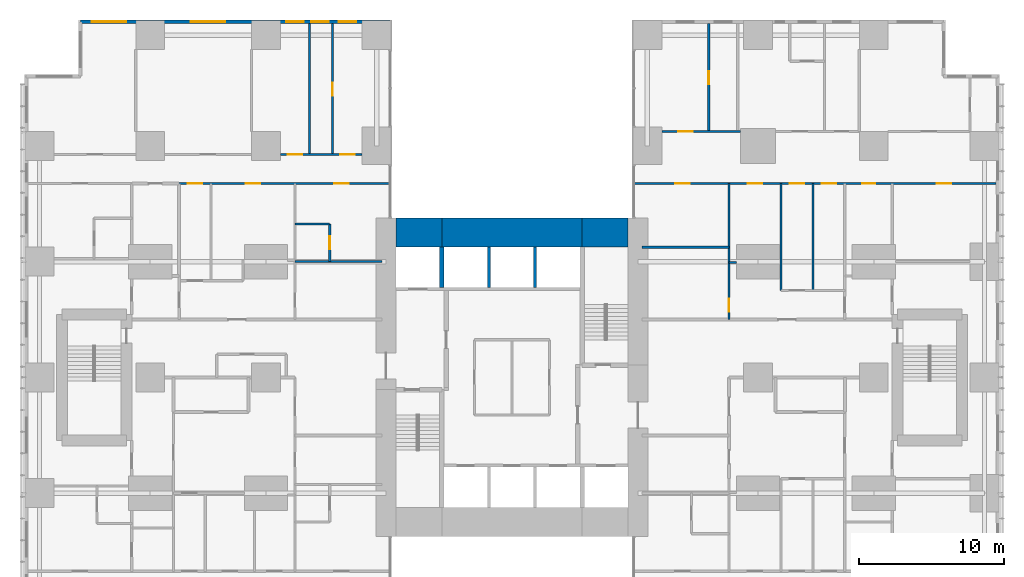
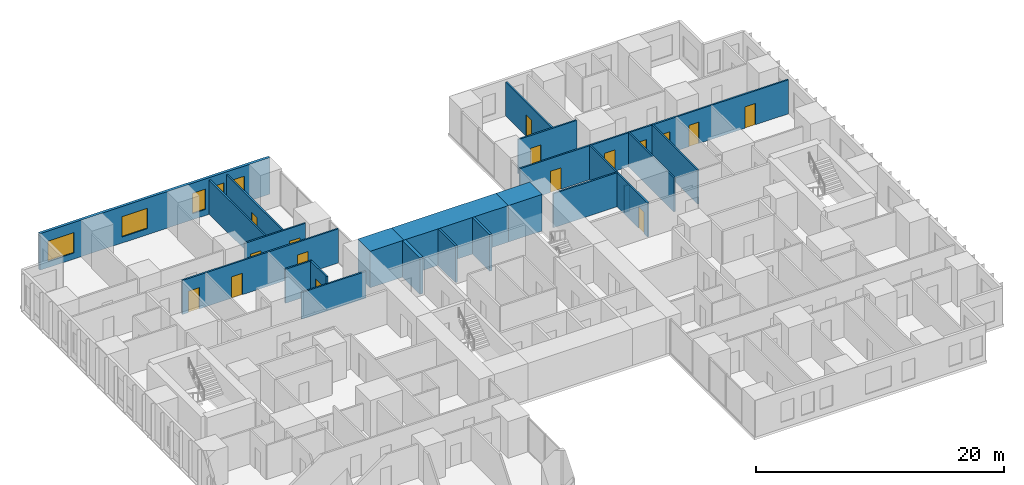
# One storey, part 17 of 20: 22 walls, 16 doors, 5 windows, 21 openings.
"""IFC4 building model written with IfcOpenShell, lengths in metres."""

from ifc_helpers import new_model, si_unit, direction, frame, frame_2d, origin, place, context, subcontext, project, spatial, rectangle, extrude, material, layer, layer_set, type_object, element, fill, save


model = new_model("IFC4")

# Units and contexts
model_context = context("Model", 3, precision=1e-05, world=origin(), true_north=direction((0.0, 1.0)))
body_context = subcontext(model_context, "Body", "Model", "MODEL_VIEW")
ifc_project = project(units=[si_unit("LENGTHUNIT", "METRE"), si_unit("AREAUNIT", "SQUARE_METRE"), si_unit("VOLUMEUNIT", "CUBIC_METRE"), si_unit("PLANEANGLEUNIT", "RADIAN"), si_unit("MASSUNIT", "GRAM", prefix="KILO")], contexts=[model_context])

# Site, building, storey
site_placement = place(None, origin())
site = spatial("IfcSite", under=ifc_project, at=site_placement, CompositionType="ELEMENT")
building_placement = place(site_placement, origin())
building = spatial("IfcBuilding", under=site, at=building_placement, Name="Cleftline Residences", CompositionType="ELEMENT")
storey_placement = place(building_placement, frame((0.0, 0.0, 83.60009765625)))
storey = spatial("IfcBuildingStorey", under=building, at=storey_placement, Name="L21", CompositionType="ELEMENT", Elevation=83.60009765625)

# Walls
ifc_material_1 = material(Name="Concrete B70", Category="concrete")
ifc_layer_1 = layer(ifc_material_1, 2.0)
ifc_layer_set_1 = layer_set([ifc_layer_1], Name="CORE WALL 2000")
wall_type_1 = type_object("IfcWallType", Name="CORE WALL 2000", PredefinedType="SHEAR", material=ifc_layer_set_1)
wall_1_placement = place(storey_placement, frame((25.0, 34.0, 0.0), z_axis=(0.0, 0.0, 1.0), x_axis=(1.0, 0.0, 0.0)))
element("IfcWall", 1, at=wall_1_placement, inside=storey, type_object=wall_type_1, Name="Core wall N1", PredefinedType="SHEAR", context=body_context, shape_type="SweptSolid", body=[
    extrude(rectangle(XDim=3.14990234375, YDim=2.0, at=frame_2d((1.574951171875, 0.0))), origin(), (0.0, 0.0, 1.0), 3.599853515625),
])
wall_2_placement = place(storey_placement, frame((28.14990234375, 34.0, 0.0), z_axis=(0.0, 0.0, 1.0), x_axis=(1.0, 0.0, 0.0)))
element("IfcWall", 2, at=wall_2_placement, inside=storey, type_object=wall_type_1, Name="Core wall N2", PredefinedType="SHEAR", context=body_context, shape_type="SweptSolid", body=[
    extrude(rectangle(XDim=9.7001953125, YDim=2.0, at=frame_2d((4.85009765625, 0.0))), origin(), (0.0, 0.0, 1.0), 3.599853515625),
])
wall_3_placement = place(storey_placement, frame((37.85009765625, 34.0, 0.0), z_axis=(0.0, 0.0, 1.0), x_axis=(1.0, 0.0, 0.0)))
element("IfcWall", 3, at=wall_3_placement, inside=storey, type_object=wall_type_1, Name="Core wall N3", PredefinedType="SHEAR", context=body_context, shape_type="SweptSolid", body=[
    extrude(rectangle(XDim=3.14990234375, YDim=2.0, at=frame_2d((1.574951171875, 0.0))), origin(), (0.0, 0.0, 1.0), 3.599853515625),
])
ifc_material_2 = material(Name="Concrete B70", Category="concrete")
ifc_layer_2 = layer(ifc_material_2, 0.300048828125)
ifc_layer_set_2 = layer_set([ifc_layer_2], Name="CORE WALL 300")
wall_type_2 = type_object("IfcWallType", Name="CORE WALL 300", PredefinedType="SHEAR", material=ifc_layer_set_2)
wall_4_placement = place(storey_placement, frame((28.14990234375, 30.199951171875, 0.0), z_axis=(0.0, 0.0, 1.0), x_axis=(0.0, 1.0, 0.0)))
element("IfcWall", 4, at=wall_4_placement, inside=storey, type_object=wall_type_2, Name="Lift shaft wall", PredefinedType="SHEAR", context=body_context, shape_type="SweptSolid", body=[
    extrude(rectangle(XDim=2.800048828125, YDim=0.300048828125, at=frame_2d((1.39990234375, 0.0))), origin(), (0.0, 0.0, 1.0), 3.599853515625),
])

# Wall, openings, windows
ifc_material_3 = material(Name="Rendered reinforced concrete blockwork", Category="masonry")
ifc_layer_3 = layer(ifc_material_3, 0.25)
ifc_layer_set_3 = layer_set([ifc_layer_3], Name="EXTERNAL WALL 250")
wall_type_3 = type_object("IfcWallType", Name="EXTERNAL WALL 250", PredefinedType="SOLIDWALL", material=ifc_layer_set_3)
wall_5_placement = place(storey_placement, frame((24.574951171875, 48.574951171875, 0.0), z_axis=(0.0, 0.0, 1.0), x_axis=(-1.0, 0.0, 0.0)))
wall_5 = element("IfcWall", 5, at=wall_5_placement, inside=storey, type_object=wall_type_3, Name="External wall", PredefinedType="SOLIDWALL", context=body_context, shape_type="SweptSolid", body=[
    extrude(rectangle(XDim=21.39990234375, YDim=0.25, at=frame_2d((10.699951171875, 0.0))), origin(), (0.0, 0.0, 1.0), 3.599853515625),
])
opening_1_placement = place(wall_5_placement, frame((2.35009765625, 0.0, 0.60009765625)))
opening_1 = element("IfcOpeningElement", 6, at=opening_1_placement, cuts=wall_5, Name="Opening W8", PredefinedType="OPENING", context=body_context, shape_type="SweptSolid", body=[
    extrude(rectangle(XDim=1.199951171875, YDim=2.0, at=frame_2d((0.60009765625, 1.0))), frame((0.0, 0.135009765625, 0.0), z_axis=(0.0, -1.0, 0.0), x_axis=(1.0, 0.0, 0.0)), (0.0, 0.0, 1.0), 0.27001953125),
])
opening_2_placement = place(wall_5_placement, frame((4.25, 0.0, 0.60009765625)))
opening_2 = element("IfcOpeningElement", 7, at=opening_2_placement, cuts=wall_5, Name="Opening W8", PredefinedType="OPENING", context=body_context, shape_type="SweptSolid", body=[
    extrude(rectangle(XDim=1.199951171875, YDim=2.0, at=frame_2d((0.60009765625, 1.0))), frame((0.0, 0.135009765625, 0.0), z_axis=(0.0, -1.0, 0.0), x_axis=(1.0, 0.0, 0.0)), (0.0, 0.0, 1.0), 0.27001953125),
])
opening_3_placement = place(wall_5_placement, frame((5.97509765625, 0.0, 0.60009765625)))
opening_3 = element("IfcOpeningElement", 8, at=opening_3_placement, cuts=wall_5, Name="Opening W8", PredefinedType="OPENING", context=body_context, shape_type="SweptSolid", body=[
    extrude(rectangle(XDim=1.199951171875, YDim=2.0, at=frame_2d((0.60009765625, 1.0))), frame((0.0, 0.135009765625, 0.0), z_axis=(0.0, -1.0, 0.0), x_axis=(1.0, 0.0, 0.0)), (0.0, 0.0, 1.0), 0.27001953125),
])
opening_4_placement = place(wall_5_placement, frame((11.375, 0.0, 0.60009765625)))
opening_4 = element("IfcOpeningElement", 9, at=opening_4_placement, cuts=wall_5, Name="Opening W6", PredefinedType="OPENING", context=body_context, shape_type="SweptSolid", body=[
    extrude(rectangle(XDim=2.39990234375, YDim=2.0, at=frame_2d((1.199951171875, 1.0))), frame((0.0, 0.135009765625, 0.0), z_axis=(0.0, -1.0, 0.0), x_axis=(1.0, 0.0, 0.0)), (0.0, 0.0, 1.0), 0.27001953125),
])
opening_5_placement = place(wall_5_placement, frame((18.22509765625, 0.0, 0.60009765625)))
opening_5 = element("IfcOpeningElement", 10, at=opening_5_placement, cuts=wall_5, Name="Opening W6", PredefinedType="OPENING", context=body_context, shape_type="SweptSolid", body=[
    extrude(rectangle(XDim=2.39990234375, YDim=2.0, at=frame_2d((1.199951171875, 1.0))), frame((0.0, 0.135009765625, 0.0), z_axis=(0.0, -1.0, 0.0), x_axis=(1.0, 0.0, 0.0)), (0.0, 0.0, 1.0), 0.27001953125),
])
ifc_material_4 = material(Name="Aluminium frame, clear double glazing", Category="aluminium")
window_type_1 = type_object("IfcWindowType", Name="WINDOW 1200X2000", PartitioningType="DOUBLE_PANEL_VERTICAL", PredefinedType="WINDOW", material=ifc_material_4)
window_1_placement = place(opening_1_placement, origin())
window_1 = element("IfcWindow", 11, at=window_1_placement, inside=storey, type_object=window_type_1, Name="Window", OverallHeight=2.0, OverallWidth=1.199951171875, PartitioningType="SINGLE_PANEL", PredefinedType="WINDOW", context=body_context, shape_type="SweptSolid", body=[
    extrude(rectangle(XDim=1.199951171875, YDim=2.0, at=frame_2d((0.60009765625, 1.0))), frame((0.0, 0.030029296875, 0.0), z_axis=(0.0, -1.0, 0.0), x_axis=(1.0, 0.0, 0.0)), (0.0, 0.0, 1.0), 0.06005859375),
])
fill(opening_1, window_1)
window_2_placement = place(opening_2_placement, origin())
window_2 = element("IfcWindow", 12, at=window_2_placement, inside=storey, type_object=window_type_1, Name="Window", OverallHeight=2.0, OverallWidth=1.199951171875, PartitioningType="SINGLE_PANEL", PredefinedType="WINDOW", context=body_context, shape_type="SweptSolid", body=[
    extrude(rectangle(XDim=1.199951171875, YDim=2.0, at=frame_2d((0.60009765625, 1.0))), frame((0.0, 0.030029296875, 0.0), z_axis=(0.0, -1.0, 0.0), x_axis=(1.0, 0.0, 0.0)), (0.0, 0.0, 1.0), 0.06005859375),
])
fill(opening_2, window_2)
window_3_placement = place(opening_3_placement, origin())
window_3 = element("IfcWindow", 13, at=window_3_placement, inside=storey, type_object=window_type_1, Name="Window", OverallHeight=2.0, OverallWidth=1.199951171875, PartitioningType="SINGLE_PANEL", PredefinedType="WINDOW", context=body_context, shape_type="SweptSolid", body=[
    extrude(rectangle(XDim=1.199951171875, YDim=2.0, at=frame_2d((0.60009765625, 1.0))), frame((0.0, 0.030029296875, 0.0), z_axis=(0.0, -1.0, 0.0), x_axis=(1.0, 0.0, 0.0)), (0.0, 0.0, 1.0), 0.06005859375),
])
fill(opening_3, window_3)
ifc_material_5 = material(Name="Aluminium frame, clear double glazing", Category="aluminium")
window_type_2 = type_object("IfcWindowType", Name="WINDOW 2400X2000", PartitioningType="DOUBLE_PANEL_VERTICAL", PredefinedType="WINDOW", material=ifc_material_5)
window_4_placement = place(opening_4_placement, origin())
window_4 = element("IfcWindow", 14, at=window_4_placement, inside=storey, type_object=window_type_2, Name="Window", OverallHeight=2.0, OverallWidth=2.39990234375, PartitioningType="SINGLE_PANEL", PredefinedType="WINDOW", context=body_context, shape_type="SweptSolid", body=[
    extrude(rectangle(XDim=2.39990234375, YDim=2.0, at=frame_2d((1.199951171875, 1.0))), frame((0.0, 0.030029296875, 0.0), z_axis=(0.0, -1.0, 0.0), x_axis=(1.0, 0.0, 0.0)), (0.0, 0.0, 1.0), 0.06005859375),
])
fill(opening_4, window_4)
window_5_placement = place(opening_5_placement, origin())
window_5 = element("IfcWindow", 15, at=window_5_placement, inside=storey, type_object=window_type_2, Name="Window", OverallHeight=2.0, OverallWidth=2.39990234375, PartitioningType="SINGLE_PANEL", PredefinedType="WINDOW", context=body_context, shape_type="SweptSolid", body=[
    extrude(rectangle(XDim=2.39990234375, YDim=2.0, at=frame_2d((1.199951171875, 1.0))), frame((0.0, 0.030029296875, 0.0), z_axis=(0.0, -1.0, 0.0), x_axis=(1.0, 0.0, 0.0)), (0.0, 0.0, 1.0), 0.06005859375),
])
fill(opening_5, window_5)

# Walls
ifc_material_6 = material(Name="Gypsum board on steel studs", Category="steel")
ifc_layer_4 = layer(ifc_material_6, 0.14990234375)
ifc_layer_set_4 = layer_set([ifc_layer_4], Name="PARTITION 150")
wall_type_4 = type_object("IfcWallType", Name="PARTITION 150", PredefinedType="PARTITIONING", material=ifc_layer_set_4)
wall_6_placement = place(storey_placement, frame((48.0, 31.949951171875, 0.0), z_axis=(0.0, 0.0, 1.0), x_axis=(1.0, 0.0, 0.0)))
element("IfcWall", 16, at=wall_6_placement, inside=storey, type_object=wall_type_4, Name="Partition", PredefinedType="PARTITIONING", context=body_context, shape_type="SweptSolid", body=[
    extrude(rectangle(XDim=0.5, YDim=0.14990234375, at=frame_2d((0.25, 0.0))), origin(), (0.0, 0.0, 1.0), 2.6337890625),
])
wall_7_placement = place(storey_placement, frame((18.0, 32.0, 0.0), z_axis=(0.0, 0.0, 1.0), x_axis=(1.0, 0.0, 0.0)))
element("IfcWall", 17, at=wall_7_placement, inside=storey, type_object=wall_type_4, Name="Partition", PredefinedType="PARTITIONING", context=body_context, shape_type="SweptSolid", body=[
    extrude(rectangle(XDim=6.0, YDim=0.14990234375, at=frame_2d((3.0, 0.0))), origin(), (0.0, 0.0, 1.0), 2.6337890625),
])
wall_8_placement = place(storey_placement, frame((42.0, 33.0, 0.0), z_axis=(0.0, 0.0, 1.0), x_axis=(1.0, 0.0, 0.0)))
element("IfcWall", 18, at=wall_8_placement, inside=storey, type_object=wall_type_4, Name="Partition", PredefinedType="PARTITIONING", context=body_context, shape_type="SweptSolid", body=[
    extrude(rectangle(XDim=6.0, YDim=0.14990234375, at=frame_2d((3.0, 0.0))), origin(), (0.0, 0.0, 1.0), 3.349853515625),
])
wall_9_placement = place(storey_placement, frame((18.0, 34.60009765625, 0.0), z_axis=(0.0, 0.0, 1.0), x_axis=(1.0, 0.0, 0.0)))
element("IfcWall", 19, at=wall_9_placement, inside=storey, type_object=wall_type_4, Name="Partition", PredefinedType="PARTITIONING", context=body_context, shape_type="SweptSolid", body=[
    extrude(rectangle(XDim=2.39990234375, YDim=0.14990234375, at=frame_2d((1.199951171875, 0.0))), origin(), (0.0, 0.0, 1.0), 3.349853515625),
])

# Wall, openings, doors
wall_10_placement = place(storey_placement, frame((10.0, 37.39990234375, 0.0), z_axis=(0.0, 0.0, 1.0), x_axis=(1.0, 0.0, 0.0)))
wall_10 = element("IfcWall", 20, at=wall_10_placement, inside=storey, type_object=wall_type_4, Name="Partition", PredefinedType="PARTITIONING", context=body_context, shape_type="SweptSolid", body=[
    extrude(rectangle(XDim=14.56103515625, YDim=0.14990234375, at=frame_2d((7.280517578125, 0.0))), origin(), (0.0, 0.0, 1.0), 3.349853515625),
])
opening_6_placement = place(wall_10_placement, frame((0.60009765625, 0.0, 0.0)))
opening_6 = element("IfcOpeningElement", 21, at=opening_6_placement, cuts=wall_10, Name="Opening D2F30", PredefinedType="OPENING", context=body_context, shape_type="SweptSolid", body=[
    extrude(rectangle(XDim=1.0, YDim=2.10009765625, at=frame_2d((0.5, 1.050048828125))), frame((0.0, 0.0849609375, 0.0), z_axis=(0.0, -1.0, 0.0), x_axis=(1.0, 0.0, 0.0)), (0.0, 0.0, 1.0), 0.169921875),
])
opening_7_placement = place(wall_10_placement, frame((4.60009765625, 0.0, 0.0)))
opening_7 = element("IfcOpeningElement", 22, at=opening_7_placement, cuts=wall_10, Name="Opening D2F30", PredefinedType="OPENING", context=body_context, shape_type="SweptSolid", body=[
    extrude(rectangle(XDim=1.0, YDim=2.10009765625, at=frame_2d((0.5, 1.050048828125))), frame((0.0, 0.0849609375, 0.0), z_axis=(0.0, -1.0, 0.0), x_axis=(1.0, 0.0, 0.0)), (0.0, 0.0, 1.0), 0.169921875),
])
opening_8_placement = place(wall_10_placement, frame((10.72509765625, 0.0, 0.0)))
opening_8 = element("IfcOpeningElement", 23, at=opening_8_placement, cuts=wall_10, Name="Opening D2F30", PredefinedType="OPENING", context=body_context, shape_type="SweptSolid", body=[
    extrude(rectangle(XDim=1.0, YDim=2.10009765625, at=frame_2d((0.5, 1.050048828125))), frame((0.0, 0.0849609375, 0.0), z_axis=(0.0, -1.0, 0.0), x_axis=(1.0, 0.0, 0.0)), (0.0, 0.0, 1.0), 0.169921875),
])
ifc_material_7 = material(Name="Timber veneer on solid core", Category="wood")
door_type_1 = type_object("IfcDoorType", Name="DOOR 1000X2100 EI 30", OperationType="SINGLE_SWING_LEFT", PredefinedType="DOOR", material=ifc_material_7)
door_1_placement = place(opening_6_placement, origin())
door_1 = element("IfcDoor", 24, at=door_1_placement, inside=storey, type_object=door_type_1, Name="Door to residence hall (gallery)", OperationType="SINGLE_SWING_RIGHT", OverallHeight=2.10009765625, OverallWidth=1.0, PredefinedType="DOOR", context=body_context, shape_type="SweptSolid", body=[
    extrude(rectangle(XDim=1.0, YDim=2.10009765625, at=frame_2d((0.5, 1.050048828125))), frame((0.0, 0.02490234375, 0.0), z_axis=(0.0, -1.0, 0.0), x_axis=(1.0, 0.0, 0.0)), (0.0, 0.0, 1.0), 0.050048828125),
])
fill(opening_6, door_1)
door_2_placement = place(opening_7_placement, origin())
door_2 = element("IfcDoor", 25, at=door_2_placement, inside=storey, type_object=door_type_1, Name="Door to study", OperationType="SINGLE_SWING_RIGHT", OverallHeight=2.10009765625, OverallWidth=1.0, PredefinedType="DOOR", context=body_context, shape_type="SweptSolid", body=[
    extrude(rectangle(XDim=1.0, YDim=2.10009765625, at=frame_2d((0.5, 1.050048828125))), frame((0.0, 0.02490234375, 0.0), z_axis=(0.0, -1.0, 0.0), x_axis=(1.0, 0.0, 0.0)), (0.0, 0.0, 1.0), 0.050048828125),
])
fill(opening_7, door_2)
door_3_placement = place(opening_8_placement, origin())
door_3 = element("IfcDoor", 26, at=door_3_placement, inside=storey, type_object=door_type_1, Name="Door to bedroom 2", OperationType="SINGLE_SWING_LEFT", OverallHeight=2.10009765625, OverallWidth=1.0, PredefinedType="DOOR", context=body_context, shape_type="SweptSolid", body=[
    extrude(rectangle(XDim=1.0, YDim=2.10009765625, at=frame_2d((0.5, 1.050048828125))), frame((0.0, 0.02490234375, 0.0), z_axis=(0.0, -1.0, 0.0), x_axis=(1.0, 0.0, 0.0)), (0.0, 0.0, 1.0), 0.050048828125),
])
fill(opening_8, door_3)

wall_11_placement = place(storey_placement, frame((41.43896484375, 37.39990234375, 0.0), z_axis=(0.0, 0.0, 1.0), x_axis=(1.0, 0.0, 0.0)))
wall_11 = element("IfcWall", 27, at=wall_11_placement, inside=storey, type_object=wall_type_4, Name="Partition", PredefinedType="PARTITIONING", context=body_context, shape_type="SweptSolid", body=[
    extrude(rectangle(XDim=25.010986328125, YDim=0.14990234375, at=frame_2d((12.50537109375, 0.0))), origin(), (0.0, 0.0, 1.0), 3.349853515625),
])
opening_9_placement = place(wall_11_placement, frame((10.760986328125, 0.0, 0.0)))
opening_9 = element("IfcOpeningElement", 28, at=opening_9_placement, cuts=wall_11, Name="Opening D2", PredefinedType="OPENING", context=body_context, shape_type="SweptSolid", body=[
    extrude(rectangle(XDim=1.0, YDim=2.10009765625, at=frame_2d((0.5, 1.050048828125))), frame((0.0, 0.0849609375, 0.0), z_axis=(0.0, -1.0, 0.0), x_axis=(1.0, 0.0, 0.0)), (0.0, 0.0, 1.0), 0.169921875),
])
opening_10_placement = place(wall_11_placement, frame((20.923583984375, 0.0, 0.0)))
opening_10 = element("IfcOpeningElement", 29, at=opening_10_placement, cuts=wall_11, Name="Opening D2", PredefinedType="OPENING", context=body_context, shape_type="SweptSolid", body=[
    extrude(rectangle(XDim=1.0, YDim=2.10009765625, at=frame_2d((0.5, 1.050048828125))), frame((0.0, 0.0849609375, 0.0), z_axis=(0.0, -1.0, 0.0), x_axis=(1.0, 0.0, 0.0)), (0.0, 0.0, 1.0), 0.169921875),
])
opening_11_placement = place(wall_11_placement, frame((15.74853515625, 0.0, 0.0)))
opening_11 = element("IfcOpeningElement", 30, at=opening_11_placement, cuts=wall_11, Name="Opening D1", PredefinedType="OPENING", context=body_context, shape_type="SweptSolid", body=[
    extrude(rectangle(XDim=0.89990234375, YDim=2.10009765625, at=frame_2d((0.449951171875, 1.050048828125))), frame((0.0, 0.0849609375, 0.0), z_axis=(0.0, -1.0, 0.0), x_axis=(1.0, 0.0, 0.0)), (0.0, 0.0, 1.0), 0.169921875),
])
opening_12_placement = place(wall_11_placement, frame((12.9609375, 0.0, 0.0)))
opening_12 = element("IfcOpeningElement", 31, at=opening_12_placement, cuts=wall_11, Name="Opening D2", PredefinedType="OPENING", context=body_context, shape_type="SweptSolid", body=[
    extrude(rectangle(XDim=1.0, YDim=2.10009765625, at=frame_2d((0.5, 1.050048828125))), frame((0.0, 0.0849609375, 0.0), z_axis=(0.0, -1.0, 0.0), x_axis=(1.0, 0.0, 0.0)), (0.0, 0.0, 1.0), 0.169921875),
])
opening_13_placement = place(wall_11_placement, frame((7.861083984375, 0.0, 0.0)))
opening_13 = element("IfcOpeningElement", 32, at=opening_13_placement, cuts=wall_11, Name="Opening D2", PredefinedType="OPENING", context=body_context, shape_type="SweptSolid", body=[
    extrude(rectangle(XDim=1.0, YDim=2.10009765625, at=frame_2d((0.5, 1.050048828125))), frame((0.0, 0.0849609375, 0.0), z_axis=(0.0, -1.0, 0.0), x_axis=(1.0, 0.0, 0.0)), (0.0, 0.0, 1.0), 0.169921875),
])
opening_14_placement = place(wall_11_placement, frame((2.8359375, 0.0, 0.0)))
opening_14 = element("IfcOpeningElement", 33, at=opening_14_placement, cuts=wall_11, Name="Opening D2", PredefinedType="OPENING", context=body_context, shape_type="SweptSolid", body=[
    extrude(rectangle(XDim=1.0, YDim=2.10009765625, at=frame_2d((0.5, 1.050048828125))), frame((0.0, 0.0849609375, 0.0), z_axis=(0.0, -1.0, 0.0), x_axis=(1.0, 0.0, 0.0)), (0.0, 0.0, 1.0), 0.169921875),
])
ifc_material_8 = material(Name="Timber veneer on solid core", Category="wood")
door_type_2 = type_object("IfcDoorType", Name="DOOR 1000X2100", OperationType="SINGLE_SWING_LEFT", PredefinedType="DOOR", material=ifc_material_8)
door_4_placement = place(opening_9_placement, origin())
door_4 = element("IfcDoor", 34, at=door_4_placement, inside=storey, type_object=door_type_2, Name="Door to residence hall", OperationType="SINGLE_SWING_RIGHT", OverallHeight=2.10009765625, OverallWidth=1.0, PredefinedType="DOOR", context=body_context, shape_type="SweptSolid", body=[
    extrude(rectangle(XDim=1.0, YDim=2.10009765625, at=frame_2d((0.5, 1.050048828125))), frame((0.0, 0.02490234375, 0.0), z_axis=(0.0, -1.0, 0.0), x_axis=(1.0, 0.0, 0.0)), (0.0, 0.0, 1.0), 0.050048828125),
])
fill(opening_9, door_4)
door_5_placement = place(opening_10_placement, origin())
door_5 = element("IfcDoor", 35, at=door_5_placement, inside=storey, type_object=door_type_2, Name="Door to sea-view living room", OperationType="SINGLE_SWING_LEFT", OverallHeight=2.10009765625, OverallWidth=1.0, PredefinedType="DOOR", context=body_context, shape_type="SweptSolid", body=[
    extrude(rectangle(XDim=1.0, YDim=2.10009765625, at=frame_2d((0.5, 1.050048828125))), frame((0.0, 0.02490234375, 0.0), z_axis=(0.0, -1.0, 0.0), x_axis=(1.0, 0.0, 0.0)), (0.0, 0.0, 1.0), 0.050048828125),
])
fill(opening_10, door_5)
door_6_placement = place(opening_12_placement, origin())
door_6 = element("IfcDoor", 36, at=door_6_placement, inside=storey, type_object=door_type_2, Name="Door to show kitchen", OperationType="SINGLE_SWING_LEFT", OverallHeight=2.10009765625, OverallWidth=1.0, PredefinedType="DOOR", context=body_context, shape_type="SweptSolid", body=[
    extrude(rectangle(XDim=1.0, YDim=2.10009765625, at=frame_2d((0.5, 1.050048828125))), frame((0.0, 0.02490234375, 0.0), z_axis=(0.0, -1.0, 0.0), x_axis=(1.0, 0.0, 0.0)), (0.0, 0.0, 1.0), 0.050048828125),
])
fill(opening_12, door_6)
door_7_placement = place(opening_13_placement, origin())
door_7 = element("IfcDoor", 37, at=door_7_placement, inside=storey, type_object=door_type_2, Name="Door to wet kitchen", OperationType="SINGLE_SWING_RIGHT", OverallHeight=2.10009765625, OverallWidth=1.0, PredefinedType="DOOR", context=body_context, shape_type="SweptSolid", body=[
    extrude(rectangle(XDim=1.0, YDim=2.10009765625, at=frame_2d((0.5, 1.050048828125))), frame((0.0, 0.02490234375, 0.0), z_axis=(0.0, -1.0, 0.0), x_axis=(1.0, 0.0, 0.0)), (0.0, 0.0, 1.0), 0.050048828125),
])
fill(opening_13, door_7)
door_8_placement = place(opening_14_placement, origin())
door_8 = element("IfcDoor", 38, at=door_8_placement, inside=storey, type_object=door_type_2, Name="Door to study", OperationType="SINGLE_SWING_RIGHT", OverallHeight=2.10009765625, OverallWidth=1.0, PredefinedType="DOOR", context=body_context, shape_type="SweptSolid", body=[
    extrude(rectangle(XDim=1.0, YDim=2.10009765625, at=frame_2d((0.5, 1.050048828125))), frame((0.0, 0.02490234375, 0.0), z_axis=(0.0, -1.0, 0.0), x_axis=(1.0, 0.0, 0.0)), (0.0, 0.0, 1.0), 0.050048828125),
])
fill(opening_14, door_8)
ifc_material_9 = material(Name="Timber veneer on solid core", Category="wood")
door_type_3 = type_object("IfcDoorType", Name="DOOR 900X2100", OperationType="SINGLE_SWING_LEFT", PredefinedType="DOOR", material=ifc_material_9)
door_9_placement = place(opening_11_placement, origin())
door_9 = element("IfcDoor", 39, at=door_9_placement, inside=storey, type_object=door_type_3, Name="Door to master bathroom", OperationType="SINGLE_SWING_LEFT", OverallHeight=2.10009765625, OverallWidth=0.89990234375, PredefinedType="DOOR", context=body_context, shape_type="SweptSolid", body=[
    extrude(rectangle(XDim=0.89990234375, YDim=2.10009765625, at=frame_2d((0.449951171875, 1.050048828125))), frame((0.0, 0.02490234375, 0.0), z_axis=(0.0, -1.0, 0.0), x_axis=(1.0, 0.0, 0.0)), (0.0, 0.0, 1.0), 0.050048828125),
])
fill(opening_11, door_9)

wall_12_placement = place(storey_placement, frame((17.0, 39.39990234375, 0.0), z_axis=(0.0, 0.0, 1.0), x_axis=(1.0, 0.0, 0.0)))
wall_12 = element("IfcWall", 40, at=wall_12_placement, inside=storey, type_object=wall_type_4, Name="Partition", PredefinedType="PARTITIONING", context=body_context, shape_type="SweptSolid", body=[
    extrude(rectangle(XDim=5.64990234375, YDim=0.14990234375, at=frame_2d((2.824951171875, 0.0))), origin(), (0.0, 0.0, 1.0), 3.349853515625),
])
opening_15_placement = place(wall_12_placement, frame((0.5, 0.0, 0.0)))
opening_15 = element("IfcOpeningElement", 41, at=opening_15_placement, cuts=wall_12, Name="Opening D2", PredefinedType="OPENING", context=body_context, shape_type="SweptSolid", body=[
    extrude(rectangle(XDim=1.0, YDim=2.10009765625, at=frame_2d((0.5, 1.050048828125))), frame((0.0, 0.0849609375, 0.0), z_axis=(0.0, -1.0, 0.0), x_axis=(1.0, 0.0, 0.0)), (0.0, 0.0, 1.0), 0.169921875),
])
opening_16_placement = place(wall_12_placement, frame((4.125, 0.0, 0.0)))
opening_16 = element("IfcOpeningElement", 42, at=opening_16_placement, cuts=wall_12, Name="Opening D2", PredefinedType="OPENING", context=body_context, shape_type="SweptSolid", body=[
    extrude(rectangle(XDim=1.0, YDim=2.10009765625, at=frame_2d((0.5, 1.050048828125))), frame((0.0, 0.0849609375, 0.0), z_axis=(0.0, -1.0, 0.0), x_axis=(1.0, 0.0, 0.0)), (0.0, 0.0, 1.0), 0.169921875),
])
door_10_placement = place(opening_15_placement, origin())
door_10 = element("IfcDoor", 43, at=door_10_placement, inside=storey, type_object=door_type_2, Name="Door to dining room", OperationType="SINGLE_SWING_RIGHT", OverallHeight=2.10009765625, OverallWidth=1.0, PredefinedType="DOOR", context=body_context, shape_type="SweptSolid", body=[
    extrude(rectangle(XDim=1.0, YDim=2.10009765625, at=frame_2d((0.5, 1.050048828125))), frame((0.0, 0.02490234375, 0.0), z_axis=(0.0, -1.0, 0.0), x_axis=(1.0, 0.0, 0.0)), (0.0, 0.0, 1.0), 0.050048828125),
])
fill(opening_15, door_10)
door_11_placement = place(opening_16_placement, origin())
door_11 = element("IfcDoor", 44, at=door_11_placement, inside=storey, type_object=door_type_2, Name="Door to show kitchen", OperationType="SINGLE_SWING_LEFT", OverallHeight=2.10009765625, OverallWidth=1.0, PredefinedType="DOOR", context=body_context, shape_type="SweptSolid", body=[
    extrude(rectangle(XDim=1.0, YDim=2.10009765625, at=frame_2d((0.5, 1.050048828125))), frame((0.0, 0.02490234375, 0.0), z_axis=(0.0, -1.0, 0.0), x_axis=(1.0, 0.0, 0.0)), (0.0, 0.0, 1.0), 0.050048828125),
])
fill(opening_16, door_11)

# Wall, opening, door
wall_13_placement = place(storey_placement, frame((43.35009765625, 41.0, 0.0), z_axis=(0.0, 0.0, 1.0), x_axis=(1.0, 0.0, 0.0)))
wall_13 = element("IfcWall", 45, at=wall_13_placement, inside=storey, type_object=wall_type_4, Name="Partition", PredefinedType="PARTITIONING", context=body_context, shape_type="SweptSolid", body=[
    extrude(rectangle(XDim=5.449951171875, YDim=0.14990234375, at=frame_2d((2.72509765625, 0.0))), origin(), (0.0, 0.0, 1.0), 3.349853515625),
])
opening_17_placement = place(wall_13_placement, frame((1.125, 0.0, 0.0)))
opening_17 = element("IfcOpeningElement", 46, at=opening_17_placement, cuts=wall_13, Name="Opening D2", PredefinedType="OPENING", context=body_context, shape_type="SweptSolid", body=[
    extrude(rectangle(XDim=1.0, YDim=2.10009765625, at=frame_2d((0.5, 1.050048828125))), frame((0.0, 0.0849609375, 0.0), z_axis=(0.0, -1.0, 0.0), x_axis=(1.0, 0.0, 0.0)), (0.0, 0.0, 1.0), 0.169921875),
])
door_12_placement = place(opening_17_placement, origin())
door_12 = element("IfcDoor", 47, at=door_12_placement, inside=storey, type_object=door_type_2, Name="Door to bedroom 3", OperationType="SINGLE_SWING_RIGHT", OverallHeight=2.10009765625, OverallWidth=1.0, PredefinedType="DOOR", context=body_context, shape_type="SweptSolid", body=[
    extrude(rectangle(XDim=1.0, YDim=2.10009765625, at=frame_2d((0.5, 1.050048828125))), frame((0.0, 0.02490234375, 0.0), z_axis=(0.0, -1.0, 0.0), x_axis=(1.0, 0.0, 0.0)), (0.0, 0.0, 1.0), 0.050048828125),
])
fill(opening_17, door_12)

# Wall
wall_14_placement = place(storey_placement, frame((19.0, 39.39990234375, 0.0), z_axis=(0.0, 0.0, 1.0), x_axis=(0.0, 1.0, 0.0)))
element("IfcWall", 48, at=wall_14_placement, inside=storey, type_object=wall_type_4, Name="Partition", PredefinedType="PARTITIONING", context=body_context, shape_type="SweptSolid", body=[
    extrude(rectangle(XDim=9.050048828125, YDim=0.14990234375, at=frame_2d((4.52490234375, 0.0))), origin(), (0.0, 0.0, 1.0), 3.349853515625),
])

# Wall, opening, door
wall_15_placement = place(storey_placement, frame((20.39990234375, 32.0, 0.0), z_axis=(0.0, 0.0, 1.0), x_axis=(0.0, 1.0, 0.0)))
wall_15 = element("IfcWall", 49, at=wall_15_placement, inside=storey, type_object=wall_type_4, Name="Partition", PredefinedType="PARTITIONING", context=body_context, shape_type="SweptSolid", body=[
    extrude(rectangle(XDim=2.60009765625, YDim=0.14990234375, at=frame_2d((1.300048828125, 0.0))), origin(), (0.0, 0.0, 1.0), 3.349853515625),
])
opening_18_placement = place(wall_15_placement, frame((0.85009765625, 0.0, 0.0)))
opening_18 = element("IfcOpeningElement", 50, at=opening_18_placement, cuts=wall_15, Name="Opening D1", PredefinedType="OPENING", context=body_context, shape_type="SweptSolid", body=[
    extrude(rectangle(XDim=0.89990234375, YDim=2.10009765625, at=frame_2d((0.449951171875, 1.050048828125))), frame((0.0, 0.0849609375, 0.0), z_axis=(0.0, -1.0, 0.0), x_axis=(1.0, 0.0, 0.0)), (0.0, 0.0, 1.0), 0.169921875),
])
door_13_placement = place(opening_18_placement, origin())
door_13 = element("IfcDoor", 51, at=door_13_placement, inside=storey, type_object=door_type_3, Name="Door to en-suite bathroom 2", OperationType="SINGLE_SWING_LEFT", OverallHeight=2.10009765625, OverallWidth=0.89990234375, PredefinedType="DOOR", context=body_context, shape_type="SweptSolid", body=[
    extrude(rectangle(XDim=0.89990234375, YDim=2.10009765625, at=frame_2d((0.449951171875, 1.050048828125))), frame((0.0, 0.02490234375, 0.0), z_axis=(0.0, -1.0, 0.0), x_axis=(1.0, 0.0, 0.0)), (0.0, 0.0, 1.0), 0.050048828125),
])
fill(opening_18, door_13)

wall_16_placement = place(storey_placement, frame((20.60009765625, 39.39990234375, 0.0), z_axis=(0.0, 0.0, 1.0), x_axis=(0.0, 1.0, 0.0)))
wall_16 = element("IfcWall", 52, at=wall_16_placement, inside=storey, type_object=wall_type_4, Name="Partition", PredefinedType="PARTITIONING", context=body_context, shape_type="SweptSolid", body=[
    extrude(rectangle(XDim=9.050048828125, YDim=0.14990234375, at=frame_2d((4.52490234375, 0.0))), origin(), (0.0, 0.0, 1.0), 3.349853515625),
])
opening_19_placement = place(wall_16_placement, frame((4.074951171875, 0.0, 0.0)))
opening_19 = element("IfcOpeningElement", 53, at=opening_19_placement, cuts=wall_16, Name="Opening D1", PredefinedType="OPENING", context=body_context, shape_type="SweptSolid", body=[
    extrude(rectangle(XDim=0.89990234375, YDim=2.10009765625, at=frame_2d((0.449951171875, 1.050048828125))), frame((0.0, 0.0849609375, 0.0), z_axis=(0.0, -1.0, 0.0), x_axis=(1.0, 0.0, 0.0)), (0.0, 0.0, 1.0), 0.169921875),
])
door_14_placement = place(opening_19_placement, origin())
door_14 = element("IfcDoor", 54, at=door_14_placement, inside=storey, type_object=door_type_3, Name="Door to kitchen store", OperationType="SINGLE_SWING_LEFT", OverallHeight=2.10009765625, OverallWidth=0.89990234375, PredefinedType="DOOR", context=body_context, shape_type="SweptSolid", body=[
    extrude(rectangle(XDim=0.89990234375, YDim=2.10009765625, at=frame_2d((0.449951171875, 1.050048828125))), frame((0.0, 0.02490234375, 0.0), z_axis=(0.0, -1.0, 0.0), x_axis=(1.0, 0.0, 0.0)), (0.0, 0.0, 1.0), 0.050048828125),
])
fill(opening_19, door_14)

wall_17_placement = place(storey_placement, frame((46.60009765625, 41.0, 0.0), z_axis=(0.0, 0.0, 1.0), x_axis=(0.0, 1.0, 0.0)))
wall_17 = element("IfcWall", 55, at=wall_17_placement, inside=storey, type_object=wall_type_4, Name="Partition", PredefinedType="PARTITIONING", context=body_context, shape_type="SweptSolid", body=[
    extrude(rectangle(XDim=7.449951171875, YDim=0.14990234375, at=frame_2d((3.72509765625, 0.0))), origin(), (0.0, 0.0, 1.0), 3.349853515625),
])
opening_20_placement = place(wall_17_placement, frame((3.27490234375, 0.0, 0.0)))
opening_20 = element("IfcOpeningElement", 56, at=opening_20_placement, cuts=wall_17, Name="Opening D1", PredefinedType="OPENING", context=body_context, shape_type="SweptSolid", body=[
    extrude(rectangle(XDim=0.89990234375, YDim=2.10009765625, at=frame_2d((0.449951171875, 1.050048828125))), frame((0.0, 0.0849609375, 0.0), z_axis=(0.0, -1.0, 0.0), x_axis=(1.0, 0.0, 0.0)), (0.0, 0.0, 1.0), 0.169921875),
])
door_15_placement = place(opening_20_placement, origin())
door_15 = element("IfcDoor", 57, at=door_15_placement, inside=storey, type_object=door_type_3, Name="Door to en-suite bathroom 3", OperationType="SINGLE_SWING_LEFT", OverallHeight=2.10009765625, OverallWidth=0.89990234375, PredefinedType="DOOR", context=body_context, shape_type="SweptSolid", body=[
    extrude(rectangle(XDim=0.89990234375, YDim=2.10009765625, at=frame_2d((0.449951171875, 1.050048828125))), frame((0.0, 0.02490234375, 0.0), z_axis=(0.0, -1.0, 0.0), x_axis=(1.0, 0.0, 0.0)), (0.0, 0.0, 1.0), 0.050048828125),
])
fill(opening_20, door_15)

wall_18_placement = place(storey_placement, frame((48.0, 28.0, 0.0), z_axis=(0.0, 0.0, 1.0), x_axis=(0.0, 1.0, 0.0)))
wall_18 = element("IfcWall", 58, at=wall_18_placement, inside=storey, type_object=wall_type_4, Name="Partition", PredefinedType="PARTITIONING", context=body_context, shape_type="SweptSolid", body=[
    extrude(rectangle(XDim=9.39990234375, YDim=0.14990234375, at=frame_2d((4.699951171875, 0.0))), origin(), (0.0, 0.0, 1.0), 3.349853515625),
])
opening_21_placement = place(wall_18_placement, frame((0.550048828125, 0.0, 0.0)))
opening_21 = element("IfcOpeningElement", 59, at=opening_21_placement, cuts=wall_18, Name="Opening D1", PredefinedType="OPENING", context=body_context, shape_type="SweptSolid", body=[
    extrude(rectangle(XDim=0.89990234375, YDim=2.10009765625, at=frame_2d((0.449951171875, 1.050048828125))), frame((0.0, 0.0849609375, 0.0), z_axis=(0.0, -1.0, 0.0), x_axis=(1.0, 0.0, 0.0)), (0.0, 0.0, 1.0), 0.169921875),
])
door_16_placement = place(opening_21_placement, origin())
door_16 = element("IfcDoor", 60, at=door_16_placement, inside=storey, type_object=door_type_3, Name="Door to laundry", OperationType="SINGLE_SWING_RIGHT", OverallHeight=2.10009765625, OverallWidth=0.89990234375, PredefinedType="DOOR", context=body_context, shape_type="SweptSolid", body=[
    extrude(rectangle(XDim=0.89990234375, YDim=2.10009765625, at=frame_2d((0.449951171875, 1.050048828125))), frame((0.0, 0.02490234375, 0.0), z_axis=(0.0, -1.0, 0.0), x_axis=(1.0, 0.0, 0.0)), (0.0, 0.0, 1.0), 0.050048828125),
])
fill(opening_21, door_16)

# Walls
for number, where, z_axis, x_axis, name in (
    (61, (51.60009765625, 30.0, 0.0), (0.0, 0.0, 1.0), (0.0, 1.0, 0.0), "Partition"),
    (62, (53.800048828125, 30.0, 0.0), (0.0, 0.0, 1.0), (0.0, 1.0, 0.0), "Partition"),
):
    element("IfcWall", number, at=place(storey_placement, frame(where, z_axis=z_axis, x_axis=x_axis)), inside=storey, type_object=wall_type_4, Name=name, PredefinedType="PARTITIONING", context=body_context, shape_type="SweptSolid", body=[
        extrude(rectangle(XDim=7.39990234375, YDim=0.14990234375, at=frame_2d((3.699951171875, 0.0))), origin(), (0.0, 0.0, 1.0), 3.349853515625),
    ])
ifc_material_10 = material(Name="Concrete blockwork, fire rated", Category="masonry")
ifc_layer_5 = layer(ifc_material_10, 0.199951171875)
ifc_layer_set_5 = layer_set([ifc_layer_5], Name="SHAFT WALL 200")
wall_type_5 = type_object("IfcWallType", Name="SHAFT WALL 200", PredefinedType="PARTITIONING", material=ifc_layer_set_5)
for number, where, z_axis, x_axis, name in (
    (63, (31.39990234375, 30.199951171875, 0.0), (0.0, 0.0, 1.0), (0.0, 1.0, 0.0), "Lift shaft wall"),
    (64, (34.60009765625, 30.199951171875, 0.0), (0.0, 0.0, 1.0), (0.0, 1.0, 0.0), "Lift shaft wall"),
):
    element("IfcWall", number, at=place(storey_placement, frame(where, z_axis=z_axis, x_axis=x_axis)), inside=storey, type_object=wall_type_5, Name=name, PredefinedType="PARTITIONING", context=body_context, shape_type="SweptSolid", body=[
        extrude(rectangle(XDim=2.800048828125, YDim=0.199951171875, at=frame_2d((1.39990234375, 0.0))), origin(), (0.0, 0.0, 1.0), 3.599853515625),
    ])

save(model, "model.ifc")
